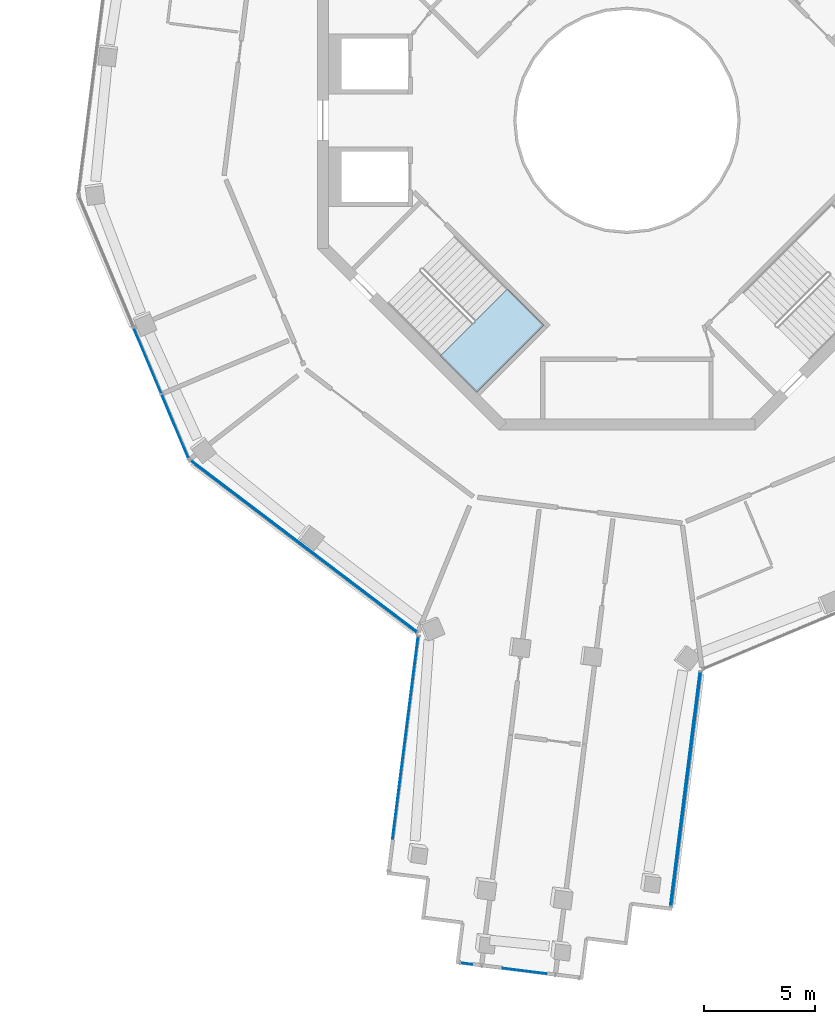
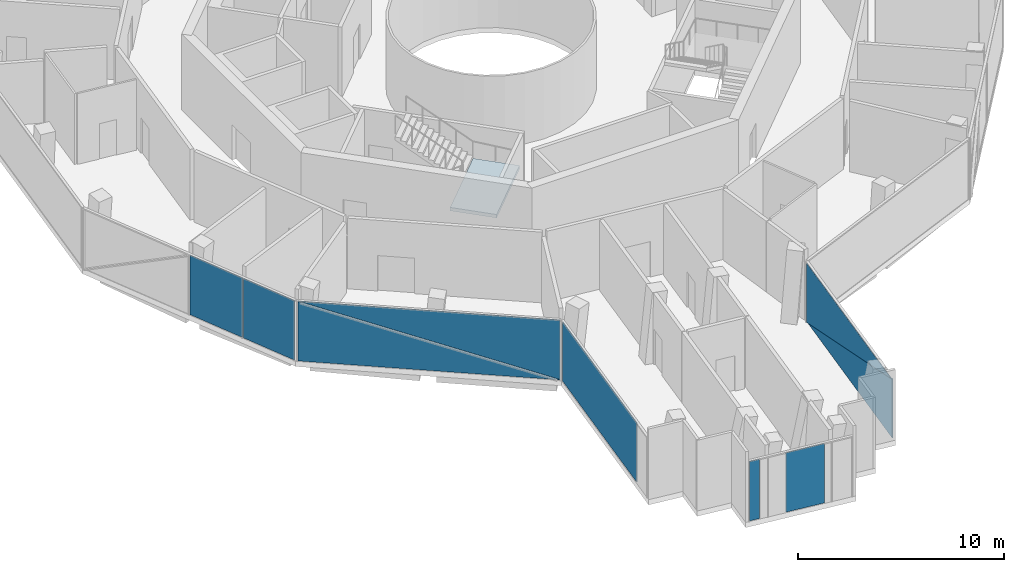
# One storey, part 9 of 18: 9 plates, 1 slab, 6 elements without a shape of their own.
"""IFC4 building model written with IfcOpenShell, lengths in metres."""

from ifc_helpers import new_model, si_unit, direction, frame, origin, origin_2d, place, context, subcontext, project, spatial, polyline, rectangle, outline, extrude, material, layer, layer_set, type_object, element, aggregate, save


model = new_model("IFC4")

# Units and contexts
model_context = context("Model", 3, precision=1e-05, world=origin(), true_north=direction((0.0, 1.0)))
body_context = subcontext(model_context, "Body", "Model", "MODEL_VIEW")
ifc_project = project(units=[si_unit("LENGTHUNIT", "METRE"), si_unit("AREAUNIT", "SQUARE_METRE"), si_unit("VOLUMEUNIT", "CUBIC_METRE"), si_unit("PLANEANGLEUNIT", "RADIAN"), si_unit("MASSUNIT", "GRAM", prefix="KILO")], contexts=[model_context])

# Site, building, storey
site_placement = place(None, origin())
site = spatial("IfcSite", under=ifc_project, at=site_placement, CompositionType="ELEMENT")
building_placement = place(site_placement, origin())
building = spatial("IfcBuilding", under=site, at=building_placement, Name="Verdalira Terraces Hotel", CompositionType="ELEMENT")
storey_placement = place(building_placement, frame((0.0, 0.0, 248.0)))
storey = spatial("IfcBuildingStorey", under=building, at=storey_placement, Name="L61", CompositionType="ELEMENT", Elevation=248.0)

# Curtain wall, plates
ifc_material_1 = material(Name="Clear glass", Category="glass")
ifc_layer_1 = layer(ifc_material_1, 0.179931640625)
ifc_layer_set_1 = layer_set([ifc_layer_1], Name="CW4 curtain wall")
curtain_wall_type = type_object("IfcCurtainWallType", Name="CW4 curtain wall", PredefinedType="NOTDEFINED", material=ifc_layer_set_1)
curtain_wall_1_placement = place(storey_placement, origin())
curtain_wall_1 = element("IfcCurtainWall", 1, at=curtain_wall_1_placement, inside=storey, type_object=curtain_wall_type, Name="CW4 curtain wall L61 edge 12", PredefinedType="NOTDEFINED")
ifc_material_2 = material(Name="Clear glass", Category="glass")
ifc_layer_2 = layer(ifc_material_2, 0.035888671875)
ifc_layer_set_2 = layer_set([ifc_layer_2], Name="CW4 glass unit 36")
plate_type = type_object("IfcPlateType", Name="CW4 glass unit 36", PredefinedType="CURTAIN_PANEL", material=ifc_layer_set_2)
plate_1_placement = place(storey_placement, frame((-21.677734, -10.875244, 0.0), z_axis=(0.0, 0.0, 1.0), x_axis=(0.387515586, -0.921863152, 0.0)))
plate_1 = element("IfcPlate", 2, at=plate_1_placement, type_object=plate_type, Name="CW4 glass unit", PredefinedType="CURTAIN_PANEL", context=body_context, shape_type="SweptSolid", body=[
    extrude(rectangle(XDim=3.185059, YDim=0.035889, at=origin_2d()), origin(), (0.0, 0.0, 1.0), 3.52002),
])
plate_2_placement = place(storey_placement, frame((-20.432617, -13.837891, 0.0), z_axis=(0.0, 0.0, 1.0), x_axis=(0.387515586, -0.921863152, 0.0)))
plate_2 = element("IfcPlate", 3, at=plate_2_placement, type_object=plate_type, Name="CW4 glass unit", PredefinedType="CURTAIN_PANEL", context=body_context, shape_type="SweptSolid", body=[
    extrude(rectangle(XDim=3.112305, YDim=0.035889, at=origin_2d()), origin(), (0.0, 0.0, 1.0), 3.52002),
])
aggregate(curtain_wall_1, [plate_1, plate_2])

curtain_wall_2_placement = place(storey_placement, origin())
curtain_wall_2 = element("IfcCurtainWall", 4, at=curtain_wall_2_placement, inside=storey, type_object=curtain_wall_type, Name="CW4 curtain wall L61 edge 13", PredefinedType="NOTDEFINED")
plate_3_placement = place(storey_placement, frame((-14.610352, -19.26709, 1.76001), z_axis=(-0.604599115, -0.796529918, 0.0), x_axis=(0.796529918, -0.604599115, 0.0)))
plate_3 = element("IfcPlate", 5, at=plate_3_placement, type_object=plate_type, Name="CW4 glass unit", PredefinedType="CURTAIN_PANEL", context=body_context, shape_type="SweptSolid", body=[
    extrude(outline(polyline([(-6.40625, -1.76001), (6.40625, -1.76001), (-6.40625, 1.76001), (-6.40625, -1.76001)])), origin(), (0.0, 0.0, 1.0), 0.035889),
])
plate_4_placement = place(storey_placement, frame((-14.587891, -19.237549, 1.76001), z_axis=(-0.604599115, -0.796529918, 0.0), x_axis=(0.796529918, -0.604599115, 0.0)))
plate_4 = element("IfcPlate", 6, at=plate_4_placement, type_object=plate_type, Name="CW4 glass unit", PredefinedType="CURTAIN_PANEL", context=body_context, shape_type="SweptSolid", body=[
    extrude(outline(polyline([(6.40625, -1.76001), (6.40625, 1.76001), (-6.40625, 1.76001), (6.40625, -1.76001)])), origin(), (0.0, 0.0, 1.0), 0.035889),
])
aggregate(curtain_wall_2, [plate_3, plate_4])

# Curtain wall, plate
curtain_wall_3_placement = place(storey_placement, origin())
curtain_wall_3 = element("IfcCurtainWall", 7, at=curtain_wall_3_placement, inside=storey, type_object=curtain_wall_type, Name="CW4 curtain wall L61 edge 14", PredefinedType="NOTDEFINED")
plate_5_placement = place(storey_placement, frame((-10.020508, -27.9375, 0.0), z_axis=(0.0, 0.0, 1.0), x_axis=(-0.125333234, -0.992114701, 0.0)))
plate_5 = element("IfcPlate", 8, at=plate_5_placement, type_object=plate_type, Name="CW4 glass unit", PredefinedType="CURTAIN_PANEL", context=body_context, shape_type="SweptSolid", body=[
    extrude(rectangle(XDim=9.264648, YDim=0.035889, at=origin_2d()), origin(), (0.0, 0.0, 1.0), 3.52002),
])
aggregate(curtain_wall_3, [plate_5])

# Curtain wall, plates
curtain_wall_4_placement = place(storey_placement, origin())
curtain_wall_4 = element("IfcCurtainWall", 9, at=curtain_wall_4_placement, inside=storey, type_object=curtain_wall_type, Name="CW4 curtain wall L61 edge 19", PredefinedType="NOTDEFINED")
plate_6_placement = place(storey_placement, frame((-7.259521, -38.13623, 0.0), z_axis=(0.0, 0.0, 1.0), x_axis=(0.992114701, -0.125333234, 0.0)))
plate_6 = element("IfcPlate", 10, at=plate_6_placement, type_object=plate_type, Name="CW4 glass unit", PredefinedType="CURTAIN_PANEL", context=body_context, shape_type="SweptSolid", body=[
    extrude(rectangle(XDim=0.524902, YDim=0.035889, at=origin_2d()), origin(), (0.0, 0.0, 1.0), 3.52002),
])
plate_7_placement = place(storey_placement, frame((-4.610107, -38.470947, 0.0), z_axis=(0.0, 0.0, 1.0), x_axis=(0.992114701, -0.125333234, 0.0)))
plate_7 = element("IfcPlate", 11, at=plate_7_placement, type_object=plate_type, Name="CW4 glass unit", PredefinedType="CURTAIN_PANEL", context=body_context, shape_type="SweptSolid", body=[
    extrude(rectangle(XDim=2.023926, YDim=0.035889, at=origin_2d()), origin(), (0.0, 0.0, 1.0), 3.52002),
])
aggregate(curtain_wall_4, [plate_6, plate_7])

curtain_wall_5_placement = place(storey_placement, origin())
curtain_wall_5 = element("IfcCurtainWall", 12, at=curtain_wall_5_placement, inside=storey, type_object=curtain_wall_type, Name="CW4 curtain wall L61 edge 24", PredefinedType="NOTDEFINED")
plate_8_placement = place(storey_placement, frame((2.65332, -30.236572, 1.76001), z_axis=(0.992114701, -0.125333234, 0.0), x_axis=(0.125333234, 0.992114701, 0.0)))
plate_8 = element("IfcPlate", 13, at=plate_8_placement, type_object=plate_type, Name="CW4 glass unit", PredefinedType="CURTAIN_PANEL", context=body_context, shape_type="SweptSolid", body=[
    extrude(outline(polyline([(-5.324707, -1.76001), (5.324707, -1.76001), (-5.324707, 1.76001), (-5.324707, -1.76001)])), origin(), (0.0, 0.0, 1.0), 0.035889),
])
plate_9_placement = place(storey_placement, frame((2.616455, -30.231934, 1.76001), z_axis=(0.992114701, -0.125333234, 0.0), x_axis=(0.125333234, 0.992114701, 0.0)))
plate_9 = element("IfcPlate", 14, at=plate_9_placement, type_object=plate_type, Name="CW4 glass unit", PredefinedType="CURTAIN_PANEL", context=body_context, shape_type="SweptSolid", body=[
    extrude(outline(polyline([(5.324707, -1.76001), (5.324707, 1.76001), (-5.324707, 1.76001), (5.324707, -1.76001)])), origin(), (0.0, 0.0, 1.0), 0.035889),
])
aggregate(curtain_wall_5, [plate_8, plate_9])

# Stair, slab
ifc_material_3 = material(Name="Concrete C40", Category="concrete")
stair_type = type_object("IfcStairType", Name="Core stair 26 risers 2100 mm wide", PredefinedType="HALF_TURN_STAIR", material=ifc_material_3)
stair_placement = place(storey_placement, origin())
stair = element("IfcStair", 15, at=stair_placement, inside=storey, type_object=stair_type, Name="L61 Exit stair ST2", PredefinedType="HALF_TURN_STAIR")
ifc_material_4 = material(Name="Concrete C40", Category="concrete")
ifc_layer_3 = layer(ifc_material_4, 0.199951171875)
ifc_layer_set_3 = layer_set([ifc_layer_3], Name="Core stair landing 200 mm")
slab_type = type_object("IfcSlabType", Name="Core stair landing 200 mm", PredefinedType="LANDING", material=ifc_layer_set_3)
slab_placement = place(storey_placement, frame((0.0, 0.0, 2.050049)))
slab = element("IfcSlab", 16, at=slab_placement, type_object=slab_type, Name="ST2 landing 1", PredefinedType="LANDING", context=body_context, shape_type="SweptSolid", body=[
    extrude(outline(polyline([(-8.443115, -10.648682), (-6.78833, -12.303711), (-3.747559, -9.263184), (-5.402588, -7.608154), (-8.443115, -10.648682)])), origin(), (0.0, 0.0, 1.0), 0.199951),
])
aggregate(stair, [slab])

save(model, "model.ifc")
